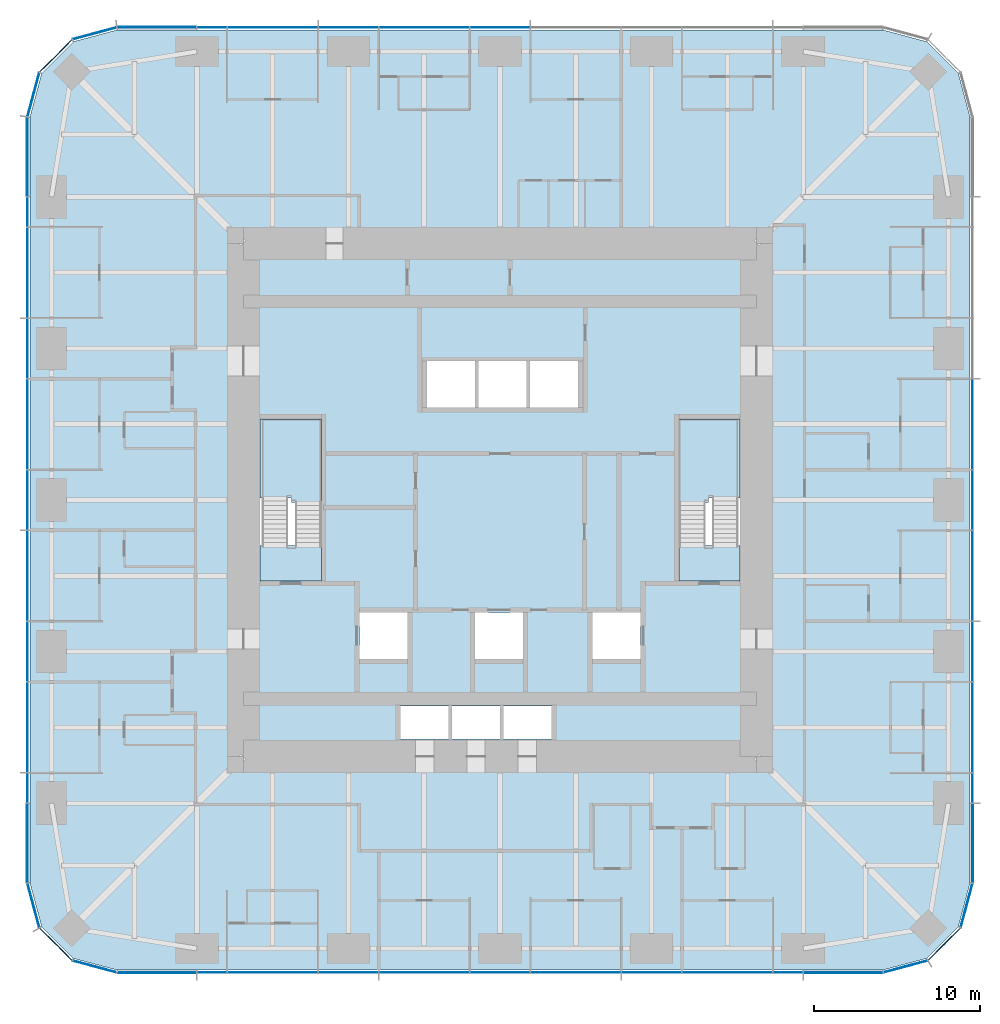
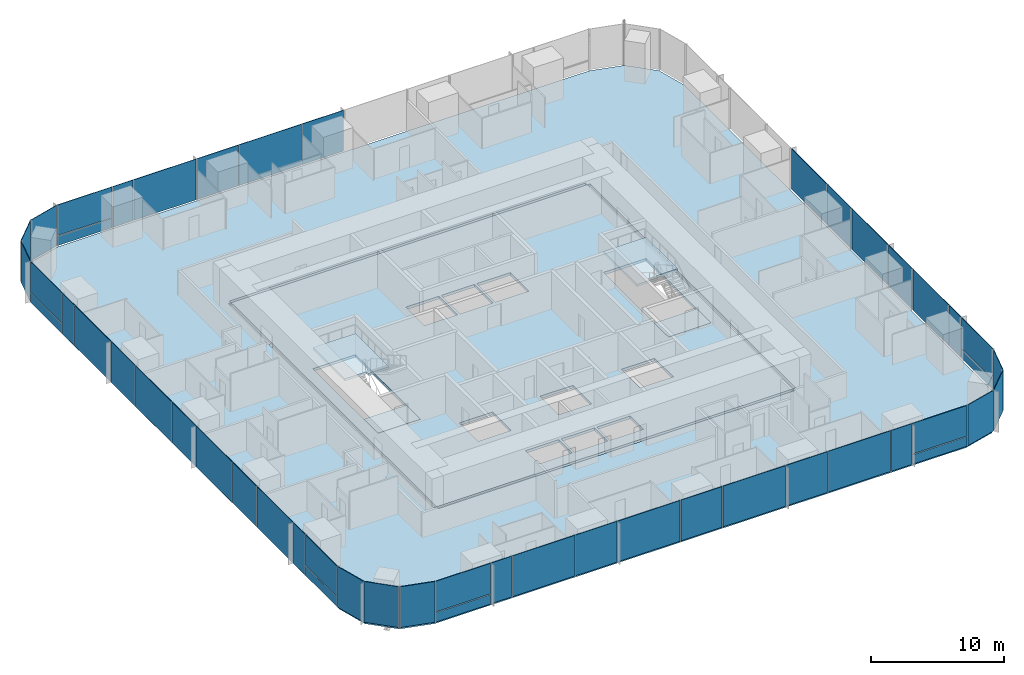
# One storey, part 7 of 13: 50 plates, 6 slabs, 9 elements without a shape of their own.
"""IFC4 building model written with IfcOpenShell, lengths in metres."""

from ifc_helpers import new_model, si_unit, direction, frame, origin, origin_2d, place, context, subcontext, project, spatial, polyline, rectangle, outline, extrude, material, layer, layer_set, type_object, element, aggregate, save


model = new_model("IFC4")

# Units and contexts
model_context = context("Model", 3, precision=1e-05, world=origin(), true_north=direction((0.0, 1.0)))
body_context = subcontext(model_context, "Body", "Model", "MODEL_VIEW")
ifc_project = project(units=[si_unit("LENGTHUNIT", "METRE"), si_unit("AREAUNIT", "SQUARE_METRE"), si_unit("VOLUMEUNIT", "CUBIC_METRE"), si_unit("PLANEANGLEUNIT", "RADIAN"), si_unit("MASSUNIT", "GRAM", prefix="KILO")], contexts=[model_context])

# Site, building, storey
site_placement = place(None, origin())
site = spatial("IfcSite", under=ifc_project, at=site_placement, CompositionType="ELEMENT")
building_placement = place(site_placement, origin())
building = spatial("IfcBuilding", under=site, at=building_placement, Name="Khuree Lantern Residences", CompositionType="ELEMENT")
storey_placement = place(building_placement, frame((0.0, 0.0, 163.5)))
storey = spatial("IfcBuildingStorey", under=building, at=storey_placement, Name="L41", CompositionType="ELEMENT", Elevation=163.5)

# Slab
ifc_material_1 = material(Name="Concrete C35/45", Category="concrete")
ifc_layer_1 = layer(ifc_material_1, 0.25)
ifc_layer_set_1 = layer_set([ifc_layer_1], Name="CFL250 CORE FLOOR SLAB 250")
slab_type_1 = type_object("IfcSlabType", Name="CFL250 CORE FLOOR SLAB 250", PredefinedType="FLOOR", material=ifc_layer_set_1)
slab_1_placement = place(storey_placement, frame((0.0, 0.0, -0.25)))
element("IfcSlab", 1, at=slab_1_placement, inside=storey, type_object=slab_type_1, Name="Core floor L41", PredefinedType="FLOOR", context=body_context, shape_type="SweptSolid", body=[
    extrude(outline(polyline([(-15.5, -15.5), (-15.5, 15.5), (15.5, 15.5), (15.5, -15.5), (-15.5, -15.5)]), holes=[polyline([(10.800048828125, 4.89990234375), (10.800048828125, -4.89990234375), (14.5, -4.89990234375), (14.5, 4.89990234375), (10.800048828125, 4.89990234375)]), polyline([(8.5, -6.800048828125), (5.60009765625, -6.800048828125), (5.60009765625, -9.60009765625), (8.5, -9.60009765625), (8.5, -6.800048828125)]), polyline([(4.699951171875, 8.39990234375), (1.800048828125, 8.39990234375), (1.800048828125, 5.60009765625), (4.699951171875, 5.60009765625), (4.699951171875, 8.39990234375)]), polyline([(3.10009765625, -12.449951171875), (0.199951171875, -12.449951171875), (0.199951171875, -14.449951171875), (3.10009765625, -14.449951171875), (3.10009765625, -12.449951171875)]), polyline([(1.60009765625, 8.39990234375), (-1.300048828125, 8.39990234375), (-1.300048828125, 5.60009765625), (1.60009765625, 5.60009765625), (1.60009765625, 8.39990234375)]), polyline([(1.39990234375, -6.800048828125), (-1.5, -6.800048828125), (-1.5, -9.60009765625), (1.39990234375, -9.60009765625), (1.39990234375, -6.800048828125)]), polyline([(-2.89990234375, -12.449951171875), (-2.89990234375, -14.449951171875), (0.0, -14.449951171875), (0.0, -12.449951171875), (-2.89990234375, -12.449951171875)]), polyline([(-4.39990234375, 8.39990234375), (-4.39990234375, 5.60009765625), (-1.5, 5.60009765625), (-1.5, 8.39990234375), (-4.39990234375, 8.39990234375)]), polyline([(-6.0, -12.449951171875), (-6.0, -14.449951171875), (-3.10009765625, -14.449951171875), (-3.10009765625, -12.449951171875), (-6.0, -12.449951171875)]), polyline([(-8.5, -6.800048828125), (-8.5, -9.60009765625), (-5.60009765625, -9.60009765625), (-5.60009765625, -6.800048828125), (-8.5, -6.800048828125)]), polyline([(-10.800048828125, 4.89990234375), (-14.5, 4.89990234375), (-14.5, -4.89990234375), (-10.800048828125, -4.89990234375), (-10.800048828125, 4.89990234375)])]), origin(), (0.0, 0.0, 1.0), 0.25),
])

# Curtain wall, plates
ifc_material_2 = material(Name="Bronze anodised aluminium", Category="aluminium")
curtain_wall_type_1 = type_object("IfcCurtainWallType", Name="CW-T2 TOWER CORNER CURTAIN WALL", PredefinedType="USERDEFINED", material=ifc_material_2)
curtain_wall_1_placement = place(storey_placement, origin())
curtain_wall_1 = element("IfcCurtainWall", 2, at=curtain_wall_1_placement, inside=storey, type_object=curtain_wall_type_1, Name="L41 SOUTH-EAST CORNER CURTAIN WALL", ObjectType="Faceted corner curtain wall", PredefinedType="USERDEFINED")
ifc_material_3 = material(Name="Bronze tinted triple glazing", Category="glass")
ifc_layer_2 = layer(ifc_material_3, 0.048095703125)
ifc_layer_set_2 = layer_set([ifc_layer_2], Name="FACET PANEL P4")
plate_type_1 = type_object("IfcPlateType", Name="FACET PANEL P4", PredefinedType="CURTAIN_PANEL", material=ifc_layer_set_2)
plate_1_placement = place(storey_placement, frame((24.498046875, -28.188720703125, 0.0), z_axis=(0.0, 0.0, 1.0), x_axis=(0.965925810153, 0.258819105321, 0.0)))
plate_1 = element("IfcPlate", 3, at=plate_1_placement, type_object=plate_type_1, Name="L41 SOUTH-EAST CORNER PANEL 1.1", PredefinedType="CURTAIN_PANEL", context=body_context, shape_type="SweptSolid", body=[
    extrude(rectangle(XDim=2.71923828125, YDim=0.048095703125, at=origin_2d()), origin(), (0.0, 0.0, 1.0), 3.75),
])
plate_2_placement = place(storey_placement, frame((26.83837890625, -26.83837890625, 0.0), z_axis=(0.0, 0.0, 1.0), x_axis=(0.707106781187, 0.707106781187, 0.0)))
plate_2 = element("IfcPlate", 4, at=plate_2_placement, type_object=plate_type_1, Name="L41 SOUTH-EAST CORNER PANEL 2.1", PredefinedType="CURTAIN_PANEL", context=body_context, shape_type="SweptSolid", body=[
    extrude(rectangle(XDim=2.715087890625, YDim=0.048095703125, at=origin_2d()), origin(), (0.0, 0.0, 1.0), 3.75),
])
plate_3_placement = place(storey_placement, frame((28.188720703125, -24.498046875, 0.0), z_axis=(0.0, 0.0, 1.0), x_axis=(0.258819105321, 0.965925810153, 0.0)))
plate_3 = element("IfcPlate", 5, at=plate_3_placement, type_object=plate_type_1, Name="L41 SOUTH-EAST CORNER PANEL 3.1", PredefinedType="CURTAIN_PANEL", context=body_context, shape_type="SweptSolid", body=[
    extrude(rectangle(XDim=2.71923828125, YDim=0.048095703125, at=origin_2d()), origin(), (0.0, 0.0, 1.0), 3.75),
])
aggregate(curtain_wall_1, [plate_1, plate_2, plate_3])

curtain_wall_2_placement = place(storey_placement, origin())
curtain_wall_2 = element("IfcCurtainWall", 6, at=curtain_wall_2_placement, inside=storey, type_object=curtain_wall_type_1, Name="L41 NORTH-WEST CORNER CURTAIN WALL", ObjectType="Faceted corner curtain wall", PredefinedType="USERDEFINED")
plate_4_placement = place(storey_placement, frame((-24.498046875, 28.188720703125, 0.0), z_axis=(0.0, 0.0, 1.0), x_axis=(-0.965925810153, -0.258819105321, 0.0)))
plate_4 = element("IfcPlate", 7, at=plate_4_placement, type_object=plate_type_1, Name="L41 NORTH-WEST CORNER PANEL 29.1", PredefinedType="CURTAIN_PANEL", context=body_context, shape_type="SweptSolid", body=[
    extrude(rectangle(XDim=2.71923828125, YDim=0.048095703125, at=origin_2d()), origin(), (0.0, 0.0, 1.0), 3.75),
])
plate_5_placement = place(storey_placement, frame((-26.83837890625, 26.83837890625, 0.0), z_axis=(0.0, 0.0, 1.0), x_axis=(-0.707106781187, -0.707106781187, 0.0)))
plate_5 = element("IfcPlate", 8, at=plate_5_placement, type_object=plate_type_1, Name="L41 NORTH-WEST CORNER PANEL 30.1", PredefinedType="CURTAIN_PANEL", context=body_context, shape_type="SweptSolid", body=[
    extrude(rectangle(XDim=2.715087890625, YDim=0.048095703125, at=origin_2d()), origin(), (0.0, 0.0, 1.0), 3.75),
])
plate_6_placement = place(storey_placement, frame((-28.188720703125, 24.498046875, 0.0), z_axis=(0.0, 0.0, 1.0), x_axis=(-0.258819105321, -0.965925810153, 0.0)))
plate_6 = element("IfcPlate", 9, at=plate_6_placement, type_object=plate_type_1, Name="L41 NORTH-WEST CORNER PANEL 31.1", PredefinedType="CURTAIN_PANEL", context=body_context, shape_type="SweptSolid", body=[
    extrude(rectangle(XDim=2.71923828125, YDim=0.048095703125, at=origin_2d()), origin(), (0.0, 0.0, 1.0), 3.75),
])
aggregate(curtain_wall_2, [plate_4, plate_5, plate_6])

curtain_wall_3_placement = place(storey_placement, origin())
curtain_wall_3 = element("IfcCurtainWall", 10, at=curtain_wall_3_placement, inside=storey, type_object=curtain_wall_type_1, Name="L41 SOUTH-WEST CORNER CURTAIN WALL", ObjectType="Faceted corner curtain wall", PredefinedType="USERDEFINED")
plate_7_placement = place(storey_placement, frame((-28.188720703125, -24.498046875, 0.0), z_axis=(0.0, 0.0, 1.0), x_axis=(0.258819105321, -0.965925810153, 0.0)))
plate_7 = element("IfcPlate", 11, at=plate_7_placement, type_object=plate_type_1, Name="L41 SOUTH-WEST CORNER PANEL 43.1", PredefinedType="CURTAIN_PANEL", context=body_context, shape_type="SweptSolid", body=[
    extrude(rectangle(XDim=2.71923828125, YDim=0.048095703125, at=origin_2d()), origin(), (0.0, 0.0, 1.0), 3.75),
])
plate_8_placement = place(storey_placement, frame((-26.83837890625, -26.83837890625, 0.0), z_axis=(0.0, 0.0, 1.0), x_axis=(0.707106781187, -0.707106781187, 0.0)))
plate_8 = element("IfcPlate", 12, at=plate_8_placement, type_object=plate_type_1, Name="L41 SOUTH-WEST CORNER PANEL 44.1", PredefinedType="CURTAIN_PANEL", context=body_context, shape_type="SweptSolid", body=[
    extrude(rectangle(XDim=2.715087890625, YDim=0.048095703125, at=origin_2d()), origin(), (0.0, 0.0, 1.0), 3.75),
])
plate_9_placement = place(storey_placement, frame((-24.498046875, -28.188720703125, 0.0), z_axis=(0.0, 0.0, 1.0), x_axis=(0.965925810153, -0.258819105321, 0.0)))
plate_9 = element("IfcPlate", 13, at=plate_9_placement, type_object=plate_type_1, Name="L41 SOUTH-WEST CORNER PANEL 45.1", PredefinedType="CURTAIN_PANEL", context=body_context, shape_type="SweptSolid", body=[
    extrude(rectangle(XDim=2.71923828125, YDim=0.048095703125, at=origin_2d()), origin(), (0.0, 0.0, 1.0), 3.75),
])
aggregate(curtain_wall_3, [plate_7, plate_8, plate_9])

curtain_wall_type_2 = type_object("IfcCurtainWallType", Name="CW-T1 TOWER FACE CURTAIN WALL", PredefinedType="USERDEFINED", material=ifc_material_2)
curtain_wall_4_placement = place(storey_placement, origin())
curtain_wall_4 = element("IfcCurtainWall", 14, at=curtain_wall_4_placement, inside=storey, type_object=curtain_wall_type_2, Name="L41 EAST FACE CURTAIN WALL", ObjectType="Stick-built curtain wall", PredefinedType="USERDEFINED")
ifc_material_4 = material(Name="Bronze tinted triple glazing with a ceramic-fritted spandrel band", Category="glass")
ifc_layer_3 = layer(ifc_material_4, 0.048095703125)
ifc_layer_set_3 = layer_set([ifc_layer_3], Name="FIXED LIGHT PANEL P11")
plate_type_2 = type_object("IfcPlateType", Name="FIXED LIGHT PANEL P11", PredefinedType="CURTAIN_PANEL", material=ifc_layer_set_3)
plate_10_placement = place(storey_placement, frame((28.550048828125, -13.739990234375, 0.0), z_axis=(0.0, 0.0, 1.0), x_axis=(0.0, 1.0, 0.0)))
plate_10 = element("IfcPlate", 15, at=plate_10_placement, type_object=plate_type_2, Name="L41 EAST FACE PANEL 6.1", PredefinedType="CURTAIN_PANEL", context=body_context, shape_type="SweptSolid", body=[
    extrude(rectangle(XDim=5.430908203125, YDim=0.048095703125, at=origin_2d()), origin(), (0.0, 0.0, 1.0), 3.75),
])
plate_11_placement = place(storey_placement, frame((28.550048828125, -4.580078125, 0.0), z_axis=(0.0, 0.0, 1.0), x_axis=(0.0, 1.0, 0.0)))
plate_11 = element("IfcPlate", 16, at=plate_11_placement, type_object=plate_type_2, Name="L41 EAST FACE PANEL 8.1", PredefinedType="CURTAIN_PANEL", context=body_context, shape_type="SweptSolid", body=[
    extrude(rectangle(XDim=5.430908203125, YDim=0.048095703125, at=origin_2d()), origin(), (0.0, 0.0, 1.0), 3.75),
])
plate_12_placement = place(storey_placement, frame((28.550048828125, 4.580078125, 0.0), z_axis=(0.0, 0.0, 1.0), x_axis=(0.0, 1.0, 0.0)))
plate_12 = element("IfcPlate", 17, at=plate_12_placement, type_object=plate_type_2, Name="L41 EAST FACE PANEL 10.1", PredefinedType="CURTAIN_PANEL", context=body_context, shape_type="SweptSolid", body=[
    extrude(rectangle(XDim=5.430908203125, YDim=0.048095703125, at=origin_2d()), origin(), (0.0, 0.0, 1.0), 3.75),
])

curtain_wall_5_placement = place(storey_placement, origin())
curtain_wall_5 = element("IfcCurtainWall", 18, at=curtain_wall_5_placement, inside=storey, type_object=curtain_wall_type_2, Name="L41 NORTH FACE CURTAIN WALL", ObjectType="Stick-built curtain wall", PredefinedType="USERDEFINED")
plate_13_placement = place(storey_placement, frame((-4.580078125, 28.550048828125, 0.0), z_axis=(0.0, 0.0, 1.0), x_axis=(-1.0, 0.0, 0.0)))
plate_13 = element("IfcPlate", 19, at=plate_13_placement, type_object=plate_type_2, Name="L41 NORTH FACE PANEL 24.1", PredefinedType="CURTAIN_PANEL", context=body_context, shape_type="SweptSolid", body=[
    extrude(rectangle(XDim=5.430908203125, YDim=0.048095703125, at=origin_2d()), origin(), (0.0, 0.0, 1.0), 3.75),
])
plate_14_placement = place(storey_placement, frame((-13.739990234375, 28.550048828125, 0.0), z_axis=(0.0, 0.0, 1.0), x_axis=(-1.0, 0.0, 0.0)))
plate_14 = element("IfcPlate", 20, at=plate_14_placement, type_object=plate_type_2, Name="L41 NORTH FACE PANEL 26.1", PredefinedType="CURTAIN_PANEL", context=body_context, shape_type="SweptSolid", body=[
    extrude(rectangle(XDim=5.430908203125, YDim=0.048095703125, at=origin_2d()), origin(), (0.0, 0.0, 1.0), 3.75),
])

curtain_wall_6_placement = place(storey_placement, origin())
curtain_wall_6 = element("IfcCurtainWall", 21, at=curtain_wall_6_placement, inside=storey, type_object=curtain_wall_type_2, Name="L41 WEST FACE CURTAIN WALL", ObjectType="Stick-built curtain wall", PredefinedType="USERDEFINED")
plate_15_placement = place(storey_placement, frame((-28.550048828125, 13.739990234375, 0.0), z_axis=(0.0, 0.0, 1.0), x_axis=(0.0, -1.0, 0.0)))
plate_15 = element("IfcPlate", 22, at=plate_15_placement, type_object=plate_type_2, Name="L41 WEST FACE PANEL 34.1", PredefinedType="CURTAIN_PANEL", context=body_context, shape_type="SweptSolid", body=[
    extrude(rectangle(XDim=5.430908203125, YDim=0.048095703125, at=origin_2d()), origin(), (0.0, 0.0, 1.0), 3.75),
])
plate_16_placement = place(storey_placement, frame((-28.550048828125, 4.580078125, 0.0), z_axis=(0.0, 0.0, 1.0), x_axis=(0.0, -1.0, 0.0)))
plate_16 = element("IfcPlate", 23, at=plate_16_placement, type_object=plate_type_2, Name="L41 WEST FACE PANEL 36.1", PredefinedType="CURTAIN_PANEL", context=body_context, shape_type="SweptSolid", body=[
    extrude(rectangle(XDim=5.430908203125, YDim=0.048095703125, at=origin_2d()), origin(), (0.0, 0.0, 1.0), 3.75),
])
plate_17_placement = place(storey_placement, frame((-28.550048828125, -4.580078125, 0.0), z_axis=(0.0, 0.0, 1.0), x_axis=(0.0, -1.0, 0.0)))
plate_17 = element("IfcPlate", 24, at=plate_17_placement, type_object=plate_type_2, Name="L41 WEST FACE PANEL 38.1", PredefinedType="CURTAIN_PANEL", context=body_context, shape_type="SweptSolid", body=[
    extrude(rectangle(XDim=5.430908203125, YDim=0.048095703125, at=origin_2d()), origin(), (0.0, 0.0, 1.0), 3.75),
])
plate_18_placement = place(storey_placement, frame((-28.550048828125, -13.739990234375, 0.0), z_axis=(0.0, 0.0, 1.0), x_axis=(0.0, -1.0, 0.0)))
plate_18 = element("IfcPlate", 25, at=plate_18_placement, type_object=plate_type_2, Name="L41 WEST FACE PANEL 40.1", PredefinedType="CURTAIN_PANEL", context=body_context, shape_type="SweptSolid", body=[
    extrude(rectangle(XDim=5.430908203125, YDim=0.048095703125, at=origin_2d()), origin(), (0.0, 0.0, 1.0), 3.75),
])

curtain_wall_7_placement = place(storey_placement, origin())
curtain_wall_7 = element("IfcCurtainWall", 26, at=curtain_wall_7_placement, inside=storey, type_object=curtain_wall_type_2, Name="L41 SOUTH FACE CURTAIN WALL", ObjectType="Stick-built curtain wall", PredefinedType="USERDEFINED")
plate_19_placement = place(storey_placement, frame((-13.739990234375, -28.550048828125, 0.0), z_axis=(0.0, 0.0, 1.0), x_axis=(1.0, 0.0, 0.0)))
plate_19 = element("IfcPlate", 27, at=plate_19_placement, type_object=plate_type_2, Name="L41 SOUTH FACE PANEL 48.1", PredefinedType="CURTAIN_PANEL", context=body_context, shape_type="SweptSolid", body=[
    extrude(rectangle(XDim=5.430908203125, YDim=0.048095703125, at=origin_2d()), origin(), (0.0, 0.0, 1.0), 3.75),
])
plate_20_placement = place(storey_placement, frame((-4.580078125, -28.550048828125, 0.0), z_axis=(0.0, 0.0, 1.0), x_axis=(1.0, 0.0, 0.0)))
plate_20 = element("IfcPlate", 28, at=plate_20_placement, type_object=plate_type_2, Name="L41 SOUTH FACE PANEL 50.1", PredefinedType="CURTAIN_PANEL", context=body_context, shape_type="SweptSolid", body=[
    extrude(rectangle(XDim=5.430908203125, YDim=0.048095703125, at=origin_2d()), origin(), (0.0, 0.0, 1.0), 3.75),
])
plate_21_placement = place(storey_placement, frame((4.580078125, -28.550048828125, 0.0), z_axis=(0.0, 0.0, 1.0), x_axis=(1.0, 0.0, 0.0)))
plate_21 = element("IfcPlate", 29, at=plate_21_placement, type_object=plate_type_2, Name="L41 SOUTH FACE PANEL 52.1", PredefinedType="CURTAIN_PANEL", context=body_context, shape_type="SweptSolid", body=[
    extrude(rectangle(XDim=5.430908203125, YDim=0.048095703125, at=origin_2d()), origin(), (0.0, 0.0, 1.0), 3.75),
])
plate_22_placement = place(storey_placement, frame((13.739990234375, -28.550048828125, 0.0), z_axis=(0.0, 0.0, 1.0), x_axis=(1.0, 0.0, 0.0)))
plate_22 = element("IfcPlate", 30, at=plate_22_placement, type_object=plate_type_2, Name="L41 SOUTH FACE PANEL 54.1", PredefinedType="CURTAIN_PANEL", context=body_context, shape_type="SweptSolid", body=[
    extrude(rectangle(XDim=5.430908203125, YDim=0.048095703125, at=origin_2d()), origin(), (0.0, 0.0, 1.0), 3.75),
])

# Slab
ifc_layer_4 = layer(ifc_material_1, 0.25)
ifc_layer_set_4 = layer_set([ifc_layer_4], Name="FS250 FLOOR SLAB 250")
slab_type_2 = type_object("IfcSlabType", Name="FS250 FLOOR SLAB 250", PredefinedType="FLOOR", material=ifc_layer_set_4)
slab_2_placement = place(storey_placement, frame((0.0, 0.0, -0.25)))
element("IfcSlab", 31, at=slab_2_placement, inside=storey, type_object=slab_type_2, Name="Floor slab L41", PredefinedType="FLOOR", context=body_context, shape_type="SweptSolid", body=[
    extrude(outline(polyline([(-25.77490234375, -27.696533203125), (-27.696533203125, -25.77490234375), (-28.39990234375, -23.14990234375), (-28.39990234375, 23.14990234375), (-27.696533203125, 25.77490234375), (-25.77490234375, 27.696533203125), (-23.14990234375, 28.39990234375), (23.14990234375, 28.39990234375), (25.77490234375, 27.696533203125), (27.696533203125, 25.77490234375), (28.39990234375, 23.14990234375), (28.39990234375, -23.14990234375), (27.696533203125, -25.77490234375), (25.77490234375, -27.696533203125), (23.14990234375, -28.39990234375), (-23.14990234375, -28.39990234375), (-25.77490234375, -27.696533203125)]), holes=[polyline([(15.75, 15.5), (15.5, 15.5), (15.5, 15.75), (-15.5, 15.75), (-15.5, 15.5), (-15.75, 15.5), (-15.75, -15.5), (-15.5, -15.5), (-15.5, -15.75), (15.5, -15.75), (15.5, -15.5), (15.75, -15.5), (15.75, 15.5)])]), origin(), (0.0, 0.0, 1.0), 0.25),
])

# Plate
ifc_material_5 = material(Name="Bronze tinted triple glazing, two aluminium-framed sashes in one frame", Category="aluminium")
ifc_layer_5 = layer(ifc_material_5, 0.048095703125)
ifc_layer_set_5 = layer_set([ifc_layer_5], Name="SASH PAIR PANEL P12")
plate_type_3 = type_object("IfcPlateType", Name="SASH PAIR PANEL P12", PredefinedType="CURTAIN_PANEL", material=ifc_layer_set_5)
plate_23_placement = place(storey_placement, frame((28.550048828125, -9.159912109375, 0.0), z_axis=(0.0, 0.0, 1.0), x_axis=(0.0, 1.0, 0.0)))
plate_23 = element("IfcPlate", 32, at=plate_23_placement, type_object=plate_type_3, Name="L41 EAST FACE PANEL 7.1", PredefinedType="CURTAIN_PANEL", context=body_context, shape_type="SweptSolid", body=[
    extrude(rectangle(XDim=3.59912109375, YDim=0.048095703125, at=origin_2d()), origin(), (0.0, 0.0, 1.0), 3.75),
])

plate_24_placement = place(storey_placement, frame((28.550048828125, 0.0, 0.0), z_axis=(0.0, 0.0, 1.0), x_axis=(0.0, 1.0, 0.0)))
plate_24 = element("IfcPlate", 33, at=plate_24_placement, type_object=plate_type_3, Name="L41 EAST FACE PANEL 9.1", PredefinedType="CURTAIN_PANEL", context=body_context, shape_type="SweptSolid", body=[
    extrude(rectangle(XDim=3.59912109375, YDim=0.048095703125, at=origin_2d()), origin(), (0.0, 0.0, 1.0), 3.75),
])

plate_25_placement = place(storey_placement, frame((0.0, 28.550048828125, 0.0), z_axis=(0.0, 0.0, 1.0), x_axis=(-1.0, 0.0, 0.0)))
plate_25 = element("IfcPlate", 34, at=plate_25_placement, type_object=plate_type_3, Name="L41 NORTH FACE PANEL 23.1", PredefinedType="CURTAIN_PANEL", context=body_context, shape_type="SweptSolid", body=[
    extrude(rectangle(XDim=3.59912109375, YDim=0.048095703125, at=origin_2d()), origin(), (0.0, 0.0, 1.0), 3.75),
])

plate_26_placement = place(storey_placement, frame((-9.159912109375, 28.550048828125, 0.0), z_axis=(0.0, 0.0, 1.0), x_axis=(-1.0, 0.0, 0.0)))
plate_26 = element("IfcPlate", 35, at=plate_26_placement, type_object=plate_type_3, Name="L41 NORTH FACE PANEL 25.1", PredefinedType="CURTAIN_PANEL", context=body_context, shape_type="SweptSolid", body=[
    extrude(rectangle(XDim=3.59912109375, YDim=0.048095703125, at=origin_2d()), origin(), (0.0, 0.0, 1.0), 3.75),
])

plate_27_placement = place(storey_placement, frame((-28.550048828125, 9.159912109375, 0.0), z_axis=(0.0, 0.0, 1.0), x_axis=(0.0, -1.0, 0.0)))
plate_27 = element("IfcPlate", 36, at=plate_27_placement, type_object=plate_type_3, Name="L41 WEST FACE PANEL 35.1", PredefinedType="CURTAIN_PANEL", context=body_context, shape_type="SweptSolid", body=[
    extrude(rectangle(XDim=3.59912109375, YDim=0.048095703125, at=origin_2d()), origin(), (0.0, 0.0, 1.0), 3.75),
])

plate_28_placement = place(storey_placement, frame((-28.550048828125, 0.0, 0.0), z_axis=(0.0, 0.0, 1.0), x_axis=(0.0, -1.0, 0.0)))
plate_28 = element("IfcPlate", 37, at=plate_28_placement, type_object=plate_type_3, Name="L41 WEST FACE PANEL 37.1", PredefinedType="CURTAIN_PANEL", context=body_context, shape_type="SweptSolid", body=[
    extrude(rectangle(XDim=3.59912109375, YDim=0.048095703125, at=origin_2d()), origin(), (0.0, 0.0, 1.0), 3.75),
])

plate_29_placement = place(storey_placement, frame((-28.550048828125, -9.159912109375, 0.0), z_axis=(0.0, 0.0, 1.0), x_axis=(0.0, -1.0, 0.0)))
plate_29 = element("IfcPlate", 38, at=plate_29_placement, type_object=plate_type_3, Name="L41 WEST FACE PANEL 39.1", PredefinedType="CURTAIN_PANEL", context=body_context, shape_type="SweptSolid", body=[
    extrude(rectangle(XDim=3.59912109375, YDim=0.048095703125, at=origin_2d()), origin(), (0.0, 0.0, 1.0), 3.75),
])

plate_30_placement = place(storey_placement, frame((-9.159912109375, -28.550048828125, 0.0), z_axis=(0.0, 0.0, 1.0), x_axis=(1.0, 0.0, 0.0)))
plate_30 = element("IfcPlate", 39, at=plate_30_placement, type_object=plate_type_3, Name="L41 SOUTH FACE PANEL 49.1", PredefinedType="CURTAIN_PANEL", context=body_context, shape_type="SweptSolid", body=[
    extrude(rectangle(XDim=3.59912109375, YDim=0.048095703125, at=origin_2d()), origin(), (0.0, 0.0, 1.0), 3.75),
])

plate_31_placement = place(storey_placement, frame((0.0, -28.550048828125, 0.0), z_axis=(0.0, 0.0, 1.0), x_axis=(1.0, 0.0, 0.0)))
plate_31 = element("IfcPlate", 40, at=plate_31_placement, type_object=plate_type_3, Name="L41 SOUTH FACE PANEL 51.1", PredefinedType="CURTAIN_PANEL", context=body_context, shape_type="SweptSolid", body=[
    extrude(rectangle(XDim=3.59912109375, YDim=0.048095703125, at=origin_2d()), origin(), (0.0, 0.0, 1.0), 3.75),
])

plate_32_placement = place(storey_placement, frame((9.159912109375, -28.550048828125, 0.0), z_axis=(0.0, 0.0, 1.0), x_axis=(1.0, 0.0, 0.0)))
plate_32 = element("IfcPlate", 41, at=plate_32_placement, type_object=plate_type_3, Name="L41 SOUTH FACE PANEL 53.1", PredefinedType="CURTAIN_PANEL", context=body_context, shape_type="SweptSolid", body=[
    extrude(rectangle(XDim=3.59912109375, YDim=0.048095703125, at=origin_2d()), origin(), (0.0, 0.0, 1.0), 3.75),
])

ifc_material_6 = material(Name="Bronze tinted triple glazing, aluminium-framed sash", Category="aluminium")
ifc_layer_6 = layer(ifc_material_6, 0.048095703125)
ifc_layer_set_6 = layer_set([ifc_layer_6], Name="SASH PANEL P3")
plate_type_4 = type_object("IfcPlateType", Name="SASH PANEL P3", PredefinedType="CURTAIN_PANEL", material=ifc_layer_set_6)
plate_33_placement = place(storey_placement, frame((28.550048828125, -17.404052734375, 0.0), z_axis=(0.0, 0.0, 1.0), x_axis=(0.0, 1.0, 0.0)))
plate_33 = element("IfcPlate", 42, at=plate_33_placement, type_object=plate_type_4, Name="L41 EAST FACE PANEL 5.1", PredefinedType="CURTAIN_PANEL", context=body_context, shape_type="SweptSolid", body=[
    extrude(rectangle(XDim=1.76708984375, YDim=0.048095703125, at=origin_2d()), origin(), (0.0, 0.0, 1.0), 3.75),
])

plate_34_placement = place(storey_placement, frame((-17.404052734375, 28.550048828125, 0.0), z_axis=(0.0, 0.0, 1.0), x_axis=(-1.0, 0.0, 0.0)))
plate_34 = element("IfcPlate", 43, at=plate_34_placement, type_object=plate_type_4, Name="L41 NORTH FACE PANEL 27.1", PredefinedType="CURTAIN_PANEL", context=body_context, shape_type="SweptSolid", body=[
    extrude(rectangle(XDim=1.76708984375, YDim=0.048095703125, at=origin_2d()), origin(), (0.0, 0.0, 1.0), 3.75),
])

plate_35_placement = place(storey_placement, frame((-28.550048828125, 17.404052734375, 0.0), z_axis=(0.0, 0.0, 1.0), x_axis=(0.0, -1.0, 0.0)))
plate_35 = element("IfcPlate", 44, at=plate_35_placement, type_object=plate_type_4, Name="L41 WEST FACE PANEL 33.1", PredefinedType="CURTAIN_PANEL", context=body_context, shape_type="SweptSolid", body=[
    extrude(rectangle(XDim=1.76708984375, YDim=0.048095703125, at=origin_2d()), origin(), (0.0, 0.0, 1.0), 3.75),
])

plate_36_placement = place(storey_placement, frame((-28.550048828125, -17.404052734375, 0.0), z_axis=(0.0, 0.0, 1.0), x_axis=(0.0, -1.0, 0.0)))
plate_36 = element("IfcPlate", 45, at=plate_36_placement, type_object=plate_type_4, Name="L41 WEST FACE PANEL 41.1", PredefinedType="CURTAIN_PANEL", context=body_context, shape_type="SweptSolid", body=[
    extrude(rectangle(XDim=1.76708984375, YDim=0.048095703125, at=origin_2d()), origin(), (0.0, 0.0, 1.0), 3.75),
])

plate_37_placement = place(storey_placement, frame((-17.404052734375, -28.550048828125, 0.0), z_axis=(0.0, 0.0, 1.0), x_axis=(1.0, 0.0, 0.0)))
plate_37 = element("IfcPlate", 46, at=plate_37_placement, type_object=plate_type_4, Name="L41 SOUTH FACE PANEL 47.1", PredefinedType="CURTAIN_PANEL", context=body_context, shape_type="SweptSolid", body=[
    extrude(rectangle(XDim=1.76708984375, YDim=0.048095703125, at=origin_2d()), origin(), (0.0, 0.0, 1.0), 3.75),
])

plate_38_placement = place(storey_placement, frame((17.404052734375, -28.550048828125, 0.0), z_axis=(0.0, 0.0, 1.0), x_axis=(1.0, 0.0, 0.0)))
plate_38 = element("IfcPlate", 47, at=plate_38_placement, type_object=plate_type_4, Name="L41 SOUTH FACE PANEL 55.1", PredefinedType="CURTAIN_PANEL", context=body_context, shape_type="SweptSolid", body=[
    extrude(rectangle(XDim=1.76708984375, YDim=0.048095703125, at=origin_2d()), origin(), (0.0, 0.0, 1.0), 3.75),
])

ifc_material_7 = material(Name="Bronze anodised aluminium insulated spandrel", Category="aluminium")
ifc_layer_7 = layer(ifc_material_7, 0.06005859375)
ifc_layer_set_7 = layer_set([ifc_layer_7], Name="SPANDREL PANEL P2")
plate_type_5 = type_object("IfcPlateType", Name="SPANDREL PANEL P2", PredefinedType="CURTAIN_PANEL", material=ifc_layer_set_7)
plate_39_placement = place(storey_placement, frame((28.550048828125, -20.73291015625, 0.0), z_axis=(0.0, 0.0, 1.0), x_axis=(0.0, 1.0, 0.0)))
plate_39 = element("IfcPlate", 48, at=plate_39_placement, type_object=plate_type_5, Name="L41 EAST FACE PANEL 4.1", PredefinedType="CURTAIN_PANEL", context=body_context, shape_type="SweptSolid", body=[
    extrude(rectangle(XDim=4.7607421875, YDim=0.06005859375, at=origin_2d()), origin(), (0.0, 0.0, 1.0), 0.867431640625),
])

plate_40_placement = place(storey_placement, frame((-20.73291015625, 28.550048828125, 0.0), z_axis=(0.0, 0.0, 1.0), x_axis=(-1.0, 0.0, 0.0)))
plate_40 = element("IfcPlate", 49, at=plate_40_placement, type_object=plate_type_5, Name="L41 NORTH FACE PANEL 28.1", PredefinedType="CURTAIN_PANEL", context=body_context, shape_type="SweptSolid", body=[
    extrude(rectangle(XDim=4.7607421875, YDim=0.06005859375, at=origin_2d()), origin(), (0.0, 0.0, 1.0), 0.867431640625),
])

plate_41_placement = place(storey_placement, frame((-28.550048828125, 20.73291015625, 0.0), z_axis=(0.0, 0.0, 1.0), x_axis=(0.0, -1.0, 0.0)))
plate_41 = element("IfcPlate", 50, at=plate_41_placement, type_object=plate_type_5, Name="L41 WEST FACE PANEL 32.1", PredefinedType="CURTAIN_PANEL", context=body_context, shape_type="SweptSolid", body=[
    extrude(rectangle(XDim=4.7607421875, YDim=0.06005859375, at=origin_2d()), origin(), (0.0, 0.0, 1.0), 0.867431640625),
])

plate_42_placement = place(storey_placement, frame((-28.550048828125, -20.73291015625, 0.0), z_axis=(0.0, 0.0, 1.0), x_axis=(0.0, -1.0, 0.0)))
plate_42 = element("IfcPlate", 51, at=plate_42_placement, type_object=plate_type_5, Name="L41 WEST FACE PANEL 42.1", PredefinedType="CURTAIN_PANEL", context=body_context, shape_type="SweptSolid", body=[
    extrude(rectangle(XDim=4.7607421875, YDim=0.06005859375, at=origin_2d()), origin(), (0.0, 0.0, 1.0), 0.867431640625),
])

plate_43_placement = place(storey_placement, frame((-20.73291015625, -28.550048828125, 0.0), z_axis=(0.0, 0.0, 1.0), x_axis=(1.0, 0.0, 0.0)))
plate_43 = element("IfcPlate", 52, at=plate_43_placement, type_object=plate_type_5, Name="L41 SOUTH FACE PANEL 46.1", PredefinedType="CURTAIN_PANEL", context=body_context, shape_type="SweptSolid", body=[
    extrude(rectangle(XDim=4.7607421875, YDim=0.06005859375, at=origin_2d()), origin(), (0.0, 0.0, 1.0), 0.867431640625),
])

plate_44_placement = place(storey_placement, frame((20.73291015625, -28.550048828125, 0.0), z_axis=(0.0, 0.0, 1.0), x_axis=(1.0, 0.0, 0.0)))
plate_44 = element("IfcPlate", 53, at=plate_44_placement, type_object=plate_type_5, Name="L41 SOUTH FACE PANEL 56.1", PredefinedType="CURTAIN_PANEL", context=body_context, shape_type="SweptSolid", body=[
    extrude(rectangle(XDim=4.7607421875, YDim=0.06005859375, at=origin_2d()), origin(), (0.0, 0.0, 1.0), 0.867431640625),
])

# Stair, slabs
ifc_material_8 = material(Name="Concrete C40/50", Category="concrete")
stair_type = type_object("IfcStairType", Name="STAIR ST1 HALF TURN 3600", PredefinedType="HALF_TURN_STAIR", material=ifc_material_8)
stair_1_placement = place(storey_placement, origin())
stair_1 = element("IfcStair", 54, at=stair_1_placement, inside=storey, type_object=stair_type, Name="Stair ST1", PredefinedType="HALF_TURN_STAIR")
ifc_layer_8 = layer(ifc_material_8, 0.199951171875)
ifc_layer_set_8 = layer_set([ifc_layer_8], Name="STAIR LANDING SL1 200")
slab_type_3 = type_object("IfcSlabType", Name="STAIR LANDING SL1 200", PredefinedType="LANDING", material=ifc_layer_set_8)
slab_3_placement = place(storey_placement, frame((0.0, 0.0, -0.199951171875)))
slab_3 = element("IfcSlab", 55, at=slab_3_placement, type_object=slab_type_3, Name="ST1 landing 1", PredefinedType="LANDING", context=body_context, shape_type="SweptSolid", body=[
    extrude(outline(polyline([(-14.5, -4.89990234375), (-10.800048828125, -4.89990234375), (-10.800048828125, -2.760009765625), (-14.5, -2.760009765625), (-14.5, -4.89990234375)])), origin(), (0.0, 0.0, 1.0), 0.199951171875),
])
slab_4_placement = place(storey_placement, frame((0.0, 0.0, 1.756591796875)))
slab_4 = element("IfcSlab", 56, at=slab_4_placement, type_object=slab_type_3, Name="ST1 landing 2", PredefinedType="LANDING", context=body_context, shape_type="SweptSolid", body=[
    extrude(outline(polyline([(-14.5, 0.1201171875), (-14.5, 4.89990234375), (-10.800048828125, 4.89990234375), (-10.800048828125, -0.159912109375), (-12.60009765625, -0.159912109375), (-12.60009765625, 0.1201171875), (-14.5, 0.1201171875)])), origin(), (0.0, 0.0, 1.0), 0.199951171875),
])
aggregate(stair_1, [slab_3, slab_4])

stair_2_placement = place(storey_placement, origin())
stair_2 = element("IfcStair", 57, at=stair_2_placement, inside=storey, type_object=stair_type, Name="Stair ST2", PredefinedType="HALF_TURN_STAIR")
slab_5_placement = place(storey_placement, frame((0.0, 0.0, -0.199951171875)))
slab_5 = element("IfcSlab", 58, at=slab_5_placement, type_object=slab_type_3, Name="ST2 landing 1", PredefinedType="LANDING", context=body_context, shape_type="SweptSolid", body=[
    extrude(outline(polyline([(10.800048828125, -4.89990234375), (14.5, -4.89990234375), (14.5, -2.760009765625), (10.800048828125, -2.760009765625), (10.800048828125, -4.89990234375)])), origin(), (0.0, 0.0, 1.0), 0.199951171875),
])
slab_6_placement = place(storey_placement, frame((0.0, 0.0, 1.756591796875)))
slab_6 = element("IfcSlab", 59, at=slab_6_placement, type_object=slab_type_3, Name="ST2 landing 2", PredefinedType="LANDING", context=body_context, shape_type="SweptSolid", body=[
    extrude(outline(polyline([(14.5, 4.89990234375), (14.5, 0.1201171875), (12.60009765625, 0.1201171875), (12.60009765625, -0.159912109375), (10.800048828125, -0.159912109375), (10.800048828125, 4.89990234375), (14.5, 4.89990234375)])), origin(), (0.0, 0.0, 1.0), 0.199951171875),
])
aggregate(stair_2, [slab_5, slab_6])

# Plate
ifc_layer_9 = layer(ifc_material_3, 0.048095703125)
ifc_layer_set_9 = layer_set([ifc_layer_9], Name="VISION PANEL P1")
plate_type_6 = type_object("IfcPlateType", Name="VISION PANEL P1", PredefinedType="CURTAIN_PANEL", material=ifc_layer_set_9)
plate_45_placement = place(storey_placement, frame((28.550048828125, -20.7333984375, 0.9326171875), z_axis=(0.0, 0.0, 1.0), x_axis=(0.0, 1.0, 0.0)))
plate_45 = element("IfcPlate", 60, at=plate_45_placement, type_object=plate_type_6, Name="L41 EAST FACE PANEL 4.2", PredefinedType="CURTAIN_PANEL", context=body_context, shape_type="SweptSolid", body=[
    extrude(rectangle(XDim=4.761474609375, YDim=0.048095703125, at=origin_2d()), origin(), (0.0, 0.0, 1.0), 2.8173828125),
])

aggregate(curtain_wall_4, [plate_39, plate_45, plate_33, plate_10, plate_23, plate_11, plate_24, plate_12])

plate_46_placement = place(storey_placement, frame((-20.7333984375, 28.550048828125, 0.9326171875), z_axis=(0.0, 0.0, 1.0), x_axis=(-1.0, 0.0, 0.0)))
plate_46 = element("IfcPlate", 61, at=plate_46_placement, type_object=plate_type_6, Name="L41 NORTH FACE PANEL 28.2", PredefinedType="CURTAIN_PANEL", context=body_context, shape_type="SweptSolid", body=[
    extrude(rectangle(XDim=4.761474609375, YDim=0.048095703125, at=origin_2d()), origin(), (0.0, 0.0, 1.0), 2.8173828125),
])

aggregate(curtain_wall_5, [plate_25, plate_13, plate_26, plate_14, plate_34, plate_40, plate_46])

plate_47_placement = place(storey_placement, frame((-28.550048828125, 20.7333984375, 0.9326171875), z_axis=(0.0, 0.0, 1.0), x_axis=(0.0, -1.0, 0.0)))
plate_47 = element("IfcPlate", 62, at=plate_47_placement, type_object=plate_type_6, Name="L41 WEST FACE PANEL 32.2", PredefinedType="CURTAIN_PANEL", context=body_context, shape_type="SweptSolid", body=[
    extrude(rectangle(XDim=4.761474609375, YDim=0.048095703125, at=origin_2d()), origin(), (0.0, 0.0, 1.0), 2.8173828125),
])

plate_48_placement = place(storey_placement, frame((-28.550048828125, -20.7333984375, 0.9326171875), z_axis=(0.0, 0.0, 1.0), x_axis=(0.0, -1.0, 0.0)))
plate_48 = element("IfcPlate", 63, at=plate_48_placement, type_object=plate_type_6, Name="L41 WEST FACE PANEL 42.2", PredefinedType="CURTAIN_PANEL", context=body_context, shape_type="SweptSolid", body=[
    extrude(rectangle(XDim=4.761474609375, YDim=0.048095703125, at=origin_2d()), origin(), (0.0, 0.0, 1.0), 2.8173828125),
])

aggregate(curtain_wall_6, [plate_41, plate_47, plate_35, plate_15, plate_27, plate_16, plate_28, plate_17, plate_29, plate_18, plate_36, plate_42, plate_48])

plate_49_placement = place(storey_placement, frame((-20.7333984375, -28.550048828125, 0.9326171875), z_axis=(0.0, 0.0, 1.0), x_axis=(1.0, 0.0, 0.0)))
plate_49 = element("IfcPlate", 64, at=plate_49_placement, type_object=plate_type_6, Name="L41 SOUTH FACE PANEL 46.2", PredefinedType="CURTAIN_PANEL", context=body_context, shape_type="SweptSolid", body=[
    extrude(rectangle(XDim=4.761474609375, YDim=0.048095703125, at=origin_2d()), origin(), (0.0, 0.0, 1.0), 2.8173828125),
])

plate_50_placement = place(storey_placement, frame((20.7333984375, -28.550048828125, 0.9326171875), z_axis=(0.0, 0.0, 1.0), x_axis=(1.0, 0.0, 0.0)))
plate_50 = element("IfcPlate", 65, at=plate_50_placement, type_object=plate_type_6, Name="L41 SOUTH FACE PANEL 56.2", PredefinedType="CURTAIN_PANEL", context=body_context, shape_type="SweptSolid", body=[
    extrude(rectangle(XDim=4.761474609375, YDim=0.048095703125, at=origin_2d()), origin(), (0.0, 0.0, 1.0), 2.8173828125),
])

aggregate(curtain_wall_7, [plate_43, plate_49, plate_37, plate_19, plate_30, plate_20, plate_31, plate_21, plate_32, plate_22, plate_38, plate_44, plate_50])

save(model, "model.ifc")
